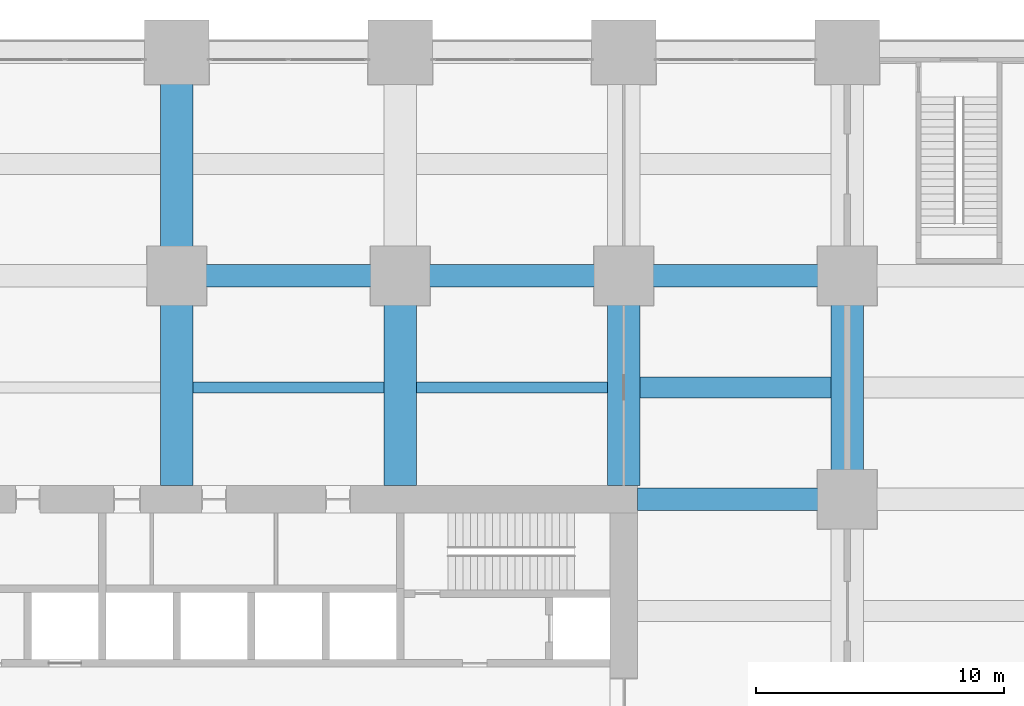
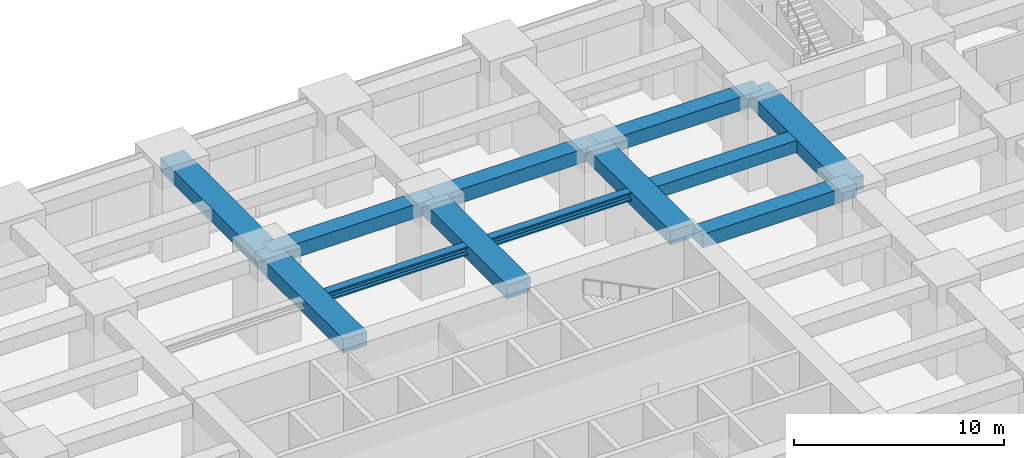
# One storey, part 26 of 45: 12 beams.
"""IFC4 building model written with IfcOpenShell, lengths in metres."""

from ifc_helpers import new_model, si_unit, direction, frame, origin, origin_2d, place, context, subcontext, project, spatial, rectangle, i_section, extrude, material, material_profile, profile_set, type_object, element, save


model = new_model("IFC4")

# Units and contexts
model_context = context("Model", 3, precision=1e-05, world=origin(), true_north=direction((0.0, 1.0)))
body_context = subcontext(model_context, "Body", "Model", "MODEL_VIEW")
ifc_project = project(units=[si_unit("LENGTHUNIT", "METRE"), si_unit("AREAUNIT", "SQUARE_METRE"), si_unit("VOLUMEUNIT", "CUBIC_METRE"), si_unit("PLANEANGLEUNIT", "RADIAN"), si_unit("MASSUNIT", "GRAM", prefix="KILO")], contexts=[model_context])

# Site, building, storey
site_placement = place(None, origin())
site = spatial("IfcSite", under=ifc_project, at=site_placement, CompositionType="ELEMENT")
building_placement = place(site_placement, origin())
building = spatial("IfcBuilding", under=site, at=building_placement, Name="Zorevar Civic Tower", CompositionType="ELEMENT")
storey_placement = place(building_placement, frame((0.0, 0.0, 5.39990234375)))
storey = spatial("IfcBuildingStorey", under=building, at=storey_placement, Name="L01", CompositionType="ELEMENT", Elevation=5.39990234375)

# Beams
ifc_material_1 = material(Name="Concrete C50/60", Category="concrete")
ifc_material_profile_1 = material_profile(ifc_material_1, rectangle(XDim=1.300048828125, YDim=0.800048828125, at=origin_2d()), Name="RC 1300x800")
ifc_profile_set_1 = profile_set([ifc_material_profile_1], Name="Concrete C50/60")
beam_type_1 = type_object("IfcBeamType", Name="Beam RC 1300x800", PredefinedType="BEAM", material=ifc_profile_set_1)
beam_1_placement = place(storey_placement, frame((27.0, 36.550048828125, 4.7001953125), z_axis=(0.0, 1.0, 0.0), x_axis=(-1.0, 0.0, 0.0)))
element("IfcBeam", 1, at=beam_1_placement, inside=storey, type_object=beam_type_1, Name="Girder L02", PredefinedType="BEAM", context=body_context, shape_type="SweptSolid", body=[
    extrude(rectangle(XDim=1.300048828125, YDim=0.800048828125, at=origin_2d()), origin(), (0.0, 0.0, 1.0), 8.449951171875),
])
beam_2_placement = place(storey_placement, frame((27.0, 45.0, 4.7001953125), z_axis=(0.0, 1.0, 0.0), x_axis=(-1.0, 0.0, 0.0)))
element("IfcBeam", 2, at=beam_2_placement, inside=storey, type_object=beam_type_1, Name="Girder L02", PredefinedType="BEAM", context=body_context, shape_type="SweptSolid", body=[
    extrude(rectangle(XDim=1.300048828125, YDim=0.800048828125, at=origin_2d()), origin(), (0.0, 0.0, 1.0), 9.0),
])
for number, where, z_axis, x_axis, name in (
    (3, (36.0, 36.550048828125, 4.7001953125), (0.0, 1.0, 0.0), (-1.0, 0.0, 0.0), "Girder L02"),
    (4, (45.0, 36.550048828125, 4.7001953125), (0.0, 1.0, 0.0), (-1.0, 0.0, 0.0), "Girder L02"),
):
    element("IfcBeam", number, at=place(storey_placement, frame(where, z_axis=z_axis, x_axis=x_axis)), inside=storey, type_object=beam_type_1, Name=name, PredefinedType="BEAM", context=body_context, shape_type="SweptSolid", body=[
        extrude(rectangle(XDim=1.300048828125, YDim=0.800048828125, at=origin_2d()), origin(), (0.0, 0.0, 1.0), 8.449951171875),
    ])
beam_3_placement = place(storey_placement, frame((54.0, 36.0, 4.7001953125), z_axis=(0.0, 1.0, 0.0), x_axis=(-1.0, 0.0, 0.0)))
element("IfcBeam", 5, at=beam_3_placement, inside=storey, type_object=beam_type_1, Name="Girder L02", PredefinedType="BEAM", context=body_context, shape_type="SweptSolid", body=[
    extrude(rectangle(XDim=1.300048828125, YDim=0.800048828125, at=origin_2d()), origin(), (0.0, 0.0, 1.0), 9.0),
])
ifc_material_2 = material(Name="Concrete C50/60", Category="concrete")
ifc_material_profile_2 = material_profile(ifc_material_2, rectangle(XDim=0.85009765625, YDim=0.699951171875, at=origin_2d()), Name="RC 850x700")
ifc_profile_set_2 = profile_set([ifc_material_profile_2], Name="Concrete C50/60")
beam_type_2 = type_object("IfcBeamType", Name="Beam RC 850x700", PredefinedType="BEAM", material=ifc_profile_set_2)
beam_4_placement = place(storey_placement, frame((45.64990234375, 40.5, 4.75), z_axis=(1.0, 0.0, 0.0), x_axis=(0.0, 1.0, 0.0)))
element("IfcBeam", 6, at=beam_4_placement, inside=storey, type_object=beam_type_2, Name="Secondary beam L02", PredefinedType="BEAM", context=body_context, shape_type="SweptSolid", body=[
    extrude(rectangle(XDim=0.85009765625, YDim=0.699951171875, at=origin_2d()), origin(), (0.0, 0.0, 1.0), 7.7001953125),
])
ifc_material_3 = material(Name="Concrete C50/60", Category="concrete")
ifc_material_profile_3 = material_profile(ifc_material_3, rectangle(XDim=0.89990234375, YDim=0.800048828125, at=origin_2d()), Name="RC 900x800")
ifc_profile_set_3 = profile_set([ifc_material_profile_3], Name="Concrete C50/60")
beam_type_3 = type_object("IfcBeamType", Name="Beam RC 900x800", PredefinedType="BEAM", material=ifc_profile_set_3)
beam_5_placement = place(storey_placement, frame((45.550048828125, 36.0, 4.7001953125), z_axis=(1.0, 0.0, 0.0), x_axis=(0.0, 1.0, 0.0)))
element("IfcBeam", 7, at=beam_5_placement, inside=storey, type_object=beam_type_3, Name="Girder L02", PredefinedType="BEAM", context=body_context, shape_type="SweptSolid", body=[
    extrude(rectangle(XDim=0.89990234375, YDim=0.800048828125, at=origin_2d()), origin(), (0.0, 0.0, 1.0), 8.449951171875),
])
for number, where, z_axis, x_axis, name in (
    (8, (27.0, 45.0, 4.7001953125), (1.0, 0.0, 0.0), (0.0, 1.0, 0.0), "Girder L02"),
    (9, (36.0, 45.0, 4.7001953125), (1.0, 0.0, 0.0), (0.0, 1.0, 0.0), "Girder L02"),
    (10, (45.0, 45.0, 4.7001953125), (1.0, 0.0, 0.0), (0.0, 1.0, 0.0), "Girder L02"),
):
    element("IfcBeam", number, at=place(storey_placement, frame(where, z_axis=z_axis, x_axis=x_axis)), inside=storey, type_object=beam_type_3, Name=name, PredefinedType="BEAM", context=body_context, shape_type="SweptSolid", body=[
        extrude(rectangle(XDim=0.89990234375, YDim=0.800048828125, at=origin_2d()), origin(), (0.0, 0.0, 1.0), 9.0),
    ])
ifc_material_4 = material(Name="Steel S460M (HISTAR 460)", Category="steel")
ifc_material_profile_4 = material_profile(ifc_material_4, i_section(OverallWidth=0.431884765625, OverallDepth=0.498046875, WebThickness=0.0556640625, FlangeThickness=0.0888671875, FilletRadius=0.014892578125, at=origin_2d()), Name="HD 400x744")
ifc_profile_set_4 = profile_set([ifc_material_profile_4], Name="Steel S460M (HISTAR 460)")
beam_type_4 = type_object("IfcBeamType", Name="Core bay beam HD 400x744", PredefinedType="BEAM", material=ifc_profile_set_4)
for number, where, z_axis, x_axis, name in (
    (11, (27.64990234375, 40.5, 4.85107421875), (1.0, 0.0, 0.0), (0.0, 1.0, 0.0), "Secondary beam L02"),
    (12, (36.64990234375, 40.5, 4.85107421875), (1.0, 0.0, 0.0), (0.0, 1.0, 0.0), "Secondary beam L02"),
):
    element("IfcBeam", number, at=place(storey_placement, frame(where, z_axis=z_axis, x_axis=x_axis)), inside=storey, type_object=beam_type_4, Name=name, PredefinedType="BEAM", context=body_context, shape_type="SweptSolid", body=[
        extrude(i_section(OverallWidth=0.431884765625, OverallDepth=0.498046875, WebThickness=0.0556640625, FlangeThickness=0.0888671875, FilletRadius=0.014892578125, at=origin_2d()), origin(), (0.0, 0.0, 1.0), 7.7001953125),
    ])

save(model, "model.ifc")
